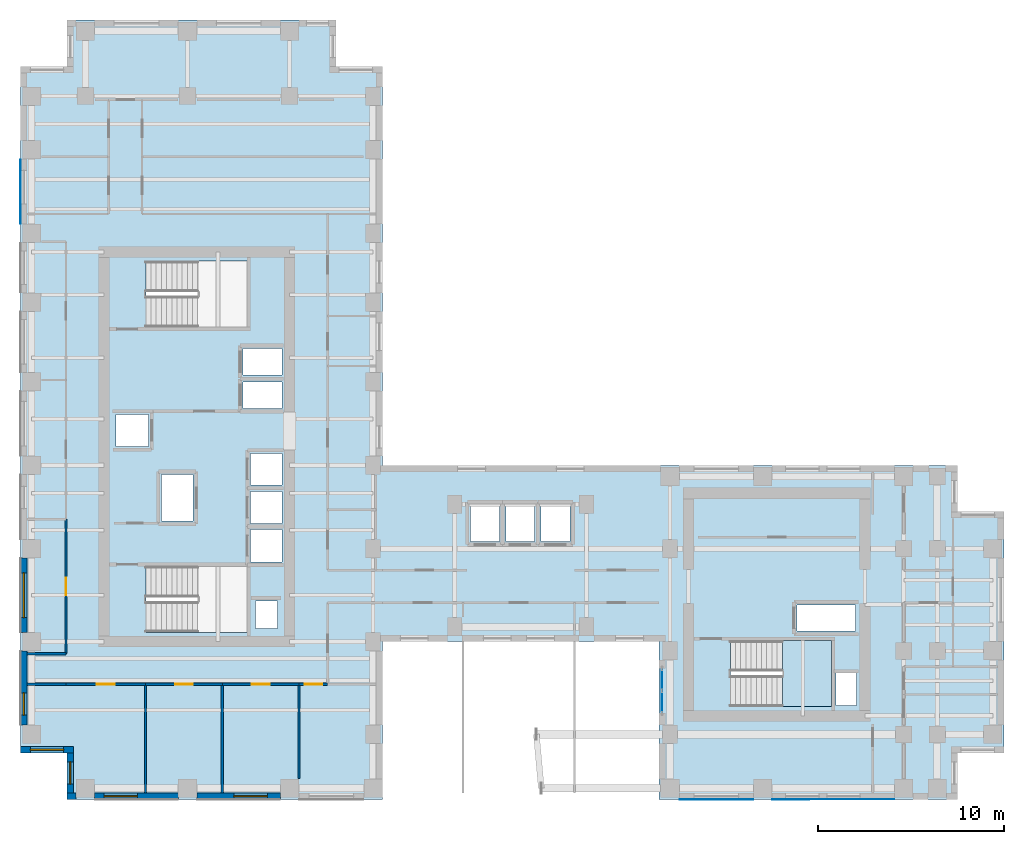
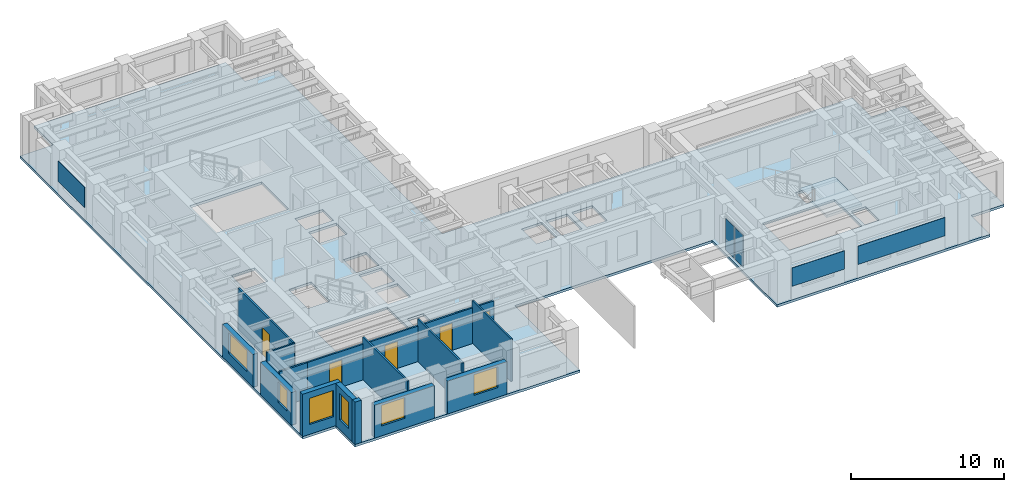
# One storey, part 5 of 13: 17 walls, 6 windows, 5 doors, 5 plates, 2 slabs, 11 openings, 2 elements without a shape of their own.
"""IFC4 building model written with IfcOpenShell, lengths in metres."""

from ifc_helpers import new_model, si_unit, direction, frame, frame_2d, origin, origin_2d, place, context, subcontext, project, spatial, polyline, rectangle, outline, extrude, source, transform, mapped, material, layer, layer_set, type_object, element, fill, aggregate, save


model = new_model("IFC4")

# Units and contexts
model_context = context("Model", 3, precision=1e-05, world=origin(), true_north=direction((0.0, 1.0)))
body_context = subcontext(model_context, "Body", "Model", "MODEL_VIEW")
ifc_project = project(units=[si_unit("LENGTHUNIT", "METRE"), si_unit("AREAUNIT", "SQUARE_METRE"), si_unit("VOLUMEUNIT", "CUBIC_METRE"), si_unit("PLANEANGLEUNIT", "RADIAN"), si_unit("MASSUNIT", "GRAM", prefix="KILO")], contexts=[model_context])

# Site, building, storey
site_placement = place(None, origin())
site = spatial("IfcSite", under=ifc_project, at=site_placement, CompositionType="ELEMENT")
building_placement = place(site_placement, origin())
building = spatial("IfcBuilding", under=site, at=building_placement, Name="Kharzan Plaza Tower", CompositionType="ELEMENT")
storey_placement = place(building_placement, frame((0.0, 0.0, 189.89990234375)))
storey = spatial("IfcBuildingStorey", under=building, at=storey_placement, Name="L51", CompositionType="ELEMENT", Elevation=189.89990234375)

# Slab
ifc_material_1 = material(Name="Concrete C40/50", Category="concrete")
ifc_layer_1 = layer(ifc_material_1, 0.199951171875)
ifc_layer_set_1 = layer_set([ifc_layer_1], Name="Concrete C40/50")
slab_type_1 = type_object("IfcSlabType", Name="SL-FLOOR-200", PredefinedType="FLOOR", material=ifc_layer_set_1)
slab_1_placement = place(storey_placement, frame((0.0, 0.0, -0.199951171875)))
element("IfcSlab", 1, at=slab_1_placement, inside=storey, type_object=slab_type_1, Name="L51 Composite Structural Floor Slab 200 mm", PredefinedType="FLOOR", context=body_context, shape_type="SweptSolid", body=[
    extrude(outline(polyline([(34.39990234375, 18.0), (19.5, 18.0), (19.5, 39.5), (17.0, 39.5), (17.0, 42.0), (2.5, 42.0), (2.5, 39.5), (0.0, 39.5), (0.0, 2.5), (2.5, 2.5), (2.5, 0.0), (19.5, 0.0), (19.5, 8.5), (34.39990234375, 8.5), (34.39990234375, 0.0), (50.5, 0.0), (50.5, 2.5), (53.0, 2.5), (53.0, 15.5), (50.5, 15.5), (50.5, 18.0), (34.39990234375, 18.0)]), holes=[polyline([(12.199951171875, 9.0), (12.199951171875, 12.550048828125), (6.75, 12.550048828125), (6.75, 9.0), (12.199951171875, 9.0)]), polyline([(14.10009765625, 12.800048828125), (14.10009765625, 14.530029296875), (12.39990234375, 14.530029296875), (12.39990234375, 12.800048828125), (14.10009765625, 12.800048828125)]), polyline([(14.10009765625, 14.8701171875), (14.10009765625, 16.60009765625), (12.39990234375, 16.60009765625), (12.39990234375, 14.8701171875), (14.10009765625, 14.8701171875)]), polyline([(9.300048828125, 15.0), (9.300048828125, 17.5), (7.60009765625, 17.5), (7.60009765625, 15.0), (9.300048828125, 15.0)]), polyline([(6.89990234375, 19.010009765625), (6.89990234375, 20.72998046875), (5.14990234375, 20.72998046875), (5.14990234375, 19.010009765625), (6.89990234375, 19.010009765625)]), polyline([(14.10009765625, 21.070068359375), (14.10009765625, 22.489990234375), (12.0, 22.489990234375), (12.0, 21.070068359375), (14.10009765625, 21.070068359375)]), polyline([(14.10009765625, 22.8701171875), (14.10009765625, 24.2900390625), (12.0, 24.2900390625), (12.0, 22.8701171875), (14.10009765625, 22.8701171875)]), polyline([(12.199951171875, 25.449951171875), (12.199951171875, 29.0), (6.75, 29.0), (6.75, 25.449951171875), (12.199951171875, 25.449951171875)]), polyline([(45.050048828125, 5.050048828125), (45.050048828125, 6.800048828125), (43.949951171875, 6.800048828125), (43.949951171875, 5.050048828125), (45.050048828125, 5.050048828125)]), polyline([(43.699951171875, 5.0), (43.699951171875, 8.550048828125), (38.25, 8.550048828125), (38.25, 5.0), (43.699951171875, 5.0)]), polyline([(45.0, 9.070068359375), (45.0, 10.469970703125), (41.85009765625, 10.469970703125), (41.85009765625, 9.070068359375), (45.0, 9.070068359375)]), polyline([(13.85009765625, 9.199951171875), (13.85009765625, 10.699951171875), (12.64990234375, 10.699951171875), (12.64990234375, 9.199951171875), (13.85009765625, 9.199951171875)]), polyline([(25.800048828125, 13.89990234375), (25.800048828125, 15.85009765625), (24.25, 15.85009765625), (24.25, 13.89990234375), (25.800048828125, 13.89990234375)]), polyline([(27.699951171875, 13.89990234375), (27.699951171875, 15.85009765625), (26.14990234375, 15.85009765625), (26.14990234375, 13.89990234375), (27.699951171875, 13.89990234375)]), polyline([(29.60009765625, 13.89990234375), (29.60009765625, 15.85009765625), (28.050048828125, 15.85009765625), (28.050048828125, 13.89990234375), (29.60009765625, 13.89990234375)]), polyline([(14.10009765625, 16.93994140625), (14.10009765625, 18.64990234375), (12.39990234375, 18.64990234375), (12.39990234375, 16.93994140625), (14.10009765625, 16.93994140625)])]), origin(), (0.0, 0.0, 1.0), 0.199951171875),
])

# Stair, slab
stair_type = type_object("IfcStairType", Name="STR-ST-3", PredefinedType="HALF_TURN_STAIR", material=ifc_material_1)
stair_placement = place(storey_placement, origin())
stair = element("IfcStair", 2, at=stair_placement, inside=storey, type_object=stair_type, Name="L51 Protected Exit Stair ST-3", PredefinedType="HALF_TURN_STAIR")
ifc_layer_2 = layer(ifc_material_1, 0.219970703125)
ifc_layer_set_2 = layer_set([ifc_layer_2], Name="Concrete C40/50")
slab_type_2 = type_object("IfcSlabType", Name="SL-LANDING-220", PredefinedType="LANDING", material=ifc_layer_set_2)
slab_2_placement = place(storey_placement, frame((0.0, 0.0, 1.60009765625)))
slab_2 = element("IfcSlab", 3, at=slab_2_placement, type_object=slab_type_2, Name="ST-3 landing 1", PredefinedType="LANDING", context=body_context, shape_type="SweptSolid", body=[
    extrude(outline(polyline([(41.050048828125, 5.0), (43.699951171875, 5.0), (43.699951171875, 8.550048828125), (41.050048828125, 8.550048828125), (41.050048828125, 5.0)])), origin(), (0.0, 0.0, 1.0), 0.199951171875),
])
aggregate(stair, [slab_2])

# Curtain wall, plates
ifc_material_2 = material(Name="Unitised Bronze-Anodized Aluminium and Low-E Glass", Category="aluminium")
ifc_layer_3 = layer(ifc_material_2, 0.199951171875)
ifc_layer_set_3 = layer_set([ifc_layer_3], Name="Unitised Bronze-Anodized Aluminium and Low-E Glass")
curtain_wall_type = type_object("IfcCurtainWallType", Name="CW-SLOT-3", PredefinedType="NOTDEFINED", material=ifc_layer_set_3)
curtain_wall_placement = place(storey_placement, origin())
curtain_wall = element("IfcCurtainWall", 4, at=curtain_wall_placement, inside=storey, type_object=curtain_wall_type, Name="L51 East Slot Recessed Spine Curtain Wall", PredefinedType="NOTDEFINED")
ifc_material_3 = material(Name="Dark Solar-Control Double Glazing", Category="glass")
ifc_layer_4 = layer(ifc_material_3, 0.031982421875)
ifc_layer_set_4 = layer_set([ifc_layer_4], Name="Dark Solar-Control Double Glazing")
plate_type_1 = type_object("IfcPlateType", Name="PLT-CW-GLASS", PredefinedType="CURTAIN_PANEL", material=ifc_layer_set_4)
shared_shape_1 = source(origin(), body_context, "Body", "SweptSolid", [
    extrude(rectangle(XDim=1.080078125, YDim=0.031982421875, at=origin_2d()), origin(), (0.0, 0.0, 1.0), 2.5400390625),
])
plate_1_placement = place(storey_placement, frame((34.580078125, 5.25, 0.080078125), z_axis=(0.0, 0.0, 1.0), x_axis=(0.0, 1.0, 0.0)))
plate_1 = element("IfcPlate", 5, at=plate_1_placement, type_object=plate_type_1, Name="L51 Curtain-Wall Glazed Panel 00", PredefinedType="CURTAIN_PANEL", context=body_context, shape_type="MappedRepresentation", body=[
    mapped(shared_shape_1, transform((0.0, 0.0, 0.0), x_axis=(1.0, 0.0, 0.0), y_axis=(0.0, 1.0, 0.0), z_axis=(0.0, 0.0, 1.0))),
])
plate_2_placement = place(storey_placement, frame((34.580078125, 6.449951171875, 0.080078125), z_axis=(0.0, 0.0, 1.0), x_axis=(0.0, 1.0, 0.0)))
plate_2 = element("IfcPlate", 6, at=plate_2_placement, type_object=plate_type_1, Name="L51 Curtain-Wall Glazed Panel 01", PredefinedType="CURTAIN_PANEL", context=body_context, shape_type="MappedRepresentation", body=[
    mapped(shared_shape_1, transform((0.0, 0.0, 0.0), x_axis=(1.0, 0.0, 0.0), y_axis=(0.0, 1.0, 0.0), z_axis=(0.0, 0.0, 1.0))),
])
aggregate(curtain_wall, [plate_1, plate_2])

# Plates
ifc_material_4 = material(Name="Perforated Bronze-Anodized Aluminium", Category="aluminium")
ifc_layer_5 = layer(ifc_material_4, 0.030029296875)
ifc_layer_set_5 = layer_set([ifc_layer_5], Name="Perforated Bronze-Anodized Aluminium")
plate_type_2 = type_object("IfcPlateType", Name="PLT-MASH-SCREEN", PredefinedType="SHEET", material=ifc_layer_set_5)
shared_shape_2 = source(origin(), body_context, "Body", "SweptSolid", [
    extrude(rectangle(XDim=3.464111328125, YDim=0.030029296875, at=origin_2d()), origin(), (0.0, 0.0, 1.0), 1.632080078125),
])
plate_3_placement = place(storey_placement, frame((-0.012939453125, 32.75, 1.01416015625), z_axis=(0.0, 0.0, 1.0), x_axis=(0.0, -1.0, 0.0)))
element("IfcPlate", 7, at=plate_3_placement, inside=storey, type_object=plate_type_2, Name="L51 Perforated Mashrabiya Solar Screen", PredefinedType="SHEET", context=body_context, shape_type="MappedRepresentation", body=[
    mapped(shared_shape_2, transform((0.0, 0.0, 0.0), x_axis=(1.0, 0.0, 0.0), y_axis=(0.0, 1.0, 0.0), z_axis=(0.0, 0.0, 1.0))),
])
shared_shape_3 = source(origin(), body_context, "Body", "SweptSolid", [
    extrude(rectangle(XDim=3.964111328125, YDim=0.030029296875, at=origin_2d()), origin(), (0.0, 0.0, 1.0), 1.468017578125),
])
plate_4_placement = place(storey_placement, frame((37.5, -0.012939453125, 1.09619140625), z_axis=(0.0, 0.0, 1.0), x_axis=(1.0, 0.0, 0.0)))
element("IfcPlate", 8, at=plate_4_placement, inside=storey, type_object=plate_type_2, Name="L51 Perforated Mashrabiya Solar Screen", PredefinedType="SHEET", context=body_context, shape_type="MappedRepresentation", body=[
    mapped(shared_shape_3, transform((0.0, 0.0, 0.0), x_axis=(1.0, 0.0, 0.0), y_axis=(0.0, 1.0, 0.0), z_axis=(0.0, 0.0, 1.0))),
])
shared_shape_4 = source(origin(), body_context, "Body", "SweptSolid", [
    extrude(rectangle(XDim=6.56396484375, YDim=0.030029296875, at=origin_2d()), origin(), (0.0, 0.0, 1.0), 1.468017578125),
])
plate_5_placement = place(storey_placement, frame((43.800048828125, -0.012939453125, 1.09619140625), z_axis=(0.0, 0.0, 1.0), x_axis=(1.0, 0.0, 0.0)))
element("IfcPlate", 9, at=plate_5_placement, inside=storey, type_object=plate_type_2, Name="L51 Perforated Mashrabiya Solar Screen", PredefinedType="SHEET", context=body_context, shape_type="MappedRepresentation", body=[
    mapped(shared_shape_4, transform((0.0, 0.0, 0.0), x_axis=(1.0, 0.0, 0.0), y_axis=(0.0, 1.0, 0.0), z_axis=(0.0, 0.0, 1.0))),
])

# Wall, opening, window
ifc_layer_6 = layer(ifc_material_1, 0.35009765625)
ifc_layer_set_6 = layer_set([ifc_layer_6], Name="Concrete C40/50")
wall_type_1 = type_object("IfcWallType", Name="WL-EXT-MAS-Z3", PredefinedType="SOLIDWALL", material=ifc_layer_set_6)
wall_1_placement = place(storey_placement, frame((0.175048828125, 13.001953125, 0.0), z_axis=(0.0, 0.0, 1.0), x_axis=(0.0, -1.0, 0.0)))
wall_1 = element("IfcWall", 10, at=wall_1_placement, inside=storey, type_object=wall_type_1, Name="L51 Masonry-Frame Exterior Wall 16", PredefinedType="SOLIDWALL", context=body_context, shape_type="SweptSolid", body=[
    extrude(rectangle(XDim=4.00390625, YDim=0.35009765625, at=frame_2d((2.001953125, 0.0))), origin(), (0.0, 0.0, 1.0), 2.612060546875),
])
opening_1_placement = place(wall_1_placement, frame((0.802001953125, 0.0, 0.780029296875)))
opening_1 = element("IfcOpeningElement", 11, at=opening_1_placement, cuts=wall_1, Name="Opening W2", PredefinedType="OPENING", context=body_context, shape_type="SweptSolid", body=[
    extrude(rectangle(XDim=2.39990234375, YDim=1.652099609375, at=frame_2d((1.199951171875, 0.826171875))), frame((0.0, 0.18505859375, 0.0), z_axis=(0.0, -1.0, 0.0), x_axis=(1.0, 0.0, 0.0)), (0.0, 0.0, 1.0), 0.3701171875),
])
ifc_material_5 = material(Name="Low-E Double Glazing", Category="glass")
window_type_1 = type_object("IfcWindowType", Name="WN-REC-2400x2100", PartitioningType="SINGLE_PANEL", PredefinedType="WINDOW", material=ifc_material_5)
shared_shape_5 = source(origin(), body_context, "Body", "SweptSolid", [
    extrude(rectangle(XDim=2.39990234375, YDim=1.652099609375, at=frame_2d((1.199951171875, 0.826171875))), frame((0.0, 0.030029296875, 0.0), z_axis=(0.0, -1.0, 0.0), x_axis=(1.0, 0.0, 0.0)), (0.0, 0.0, 1.0), 0.06005859375),
])
window_1_placement = place(opening_1_placement, origin())
window_1 = element("IfcWindow", 12, at=window_1_placement, inside=storey, type_object=window_type_1, Name="L51 Wide Recessed Solar-Control Window 16-1", OverallHeight=1.652099609375, OverallWidth=2.39990234375, PartitioningType="SINGLE_PANEL", PredefinedType="WINDOW", context=body_context, shape_type="MappedRepresentation", body=[
    mapped(shared_shape_5, transform((0.0, 0.0, 0.0), x_axis=(1.0, 0.0, 0.0), y_axis=(0.0, 1.0, 0.0), z_axis=(0.0, 0.0, 1.0))),
])
fill(opening_1, window_1)

wall_2_placement = place(storey_placement, frame((0.175048828125, 8.001953125, 0.0), z_axis=(0.0, 0.0, 1.0), x_axis=(0.0, -1.0, 0.0)))
wall_2 = element("IfcWall", 13, at=wall_2_placement, inside=storey, type_object=wall_type_1, Name="L51 Masonry-Frame Exterior Wall 17", PredefinedType="SOLIDWALL", context=body_context, shape_type="SweptSolid", body=[
    extrude(rectangle(XDim=4.00390625, YDim=0.35009765625, at=frame_2d((2.001953125, 0.0))), origin(), (0.0, 0.0, 1.0), 2.612060546875),
])
opening_2_placement = place(wall_2_placement, frame((2.26806640625, 0.0, 0.780029296875)))
opening_2 = element("IfcOpeningElement", 14, at=opening_2_placement, cuts=wall_2, Name="Opening W3", PredefinedType="OPENING", context=body_context, shape_type="SweptSolid", body=[
    extrude(rectangle(XDim=1.199951171875, YDim=1.652099609375, at=frame_2d((0.60009765625, 0.826171875))), frame((0.0, 0.18505859375, 0.0), z_axis=(0.0, -1.0, 0.0), x_axis=(1.0, 0.0, 0.0)), (0.0, 0.0, 1.0), 0.3701171875),
])
window_type_2 = type_object("IfcWindowType", Name="WN-REC-1200x2100", PartitioningType="SINGLE_PANEL", PredefinedType="WINDOW", material=ifc_material_5)
shared_shape_6 = source(origin(), body_context, "Body", "SweptSolid", [
    extrude(rectangle(XDim=1.199951171875, YDim=1.652099609375, at=frame_2d((0.60009765625, 0.826171875))), frame((0.0, 0.030029296875, 0.0), z_axis=(0.0, -1.0, 0.0), x_axis=(1.0, 0.0, 0.0)), (0.0, 0.0, 1.0), 0.06005859375),
])
window_2_placement = place(opening_2_placement, origin())
window_2 = element("IfcWindow", 15, at=window_2_placement, inside=storey, type_object=window_type_2, Name="L51 Recessed Solar-Control Window 17-1", OverallHeight=1.652099609375, OverallWidth=1.199951171875, PartitioningType="SINGLE_PANEL", PredefinedType="WINDOW", context=body_context, shape_type="MappedRepresentation", body=[
    mapped(shared_shape_6, transform((0.0, 0.0, 0.0), x_axis=(1.0, 0.0, 0.0), y_axis=(0.0, 1.0, 0.0), z_axis=(0.0, 0.0, 1.0))),
])
fill(opening_2, window_2)

wall_3_placement = place(storey_placement, frame((0.0, 2.675048828125, 0.0), z_axis=(0.0, 0.0, 1.0), x_axis=(1.0, 0.0, 0.0)))
wall_3 = element("IfcWall", 16, at=wall_3_placement, inside=storey, type_object=wall_type_1, Name="L51 Masonry-Frame Exterior Wall 18", PredefinedType="SOLIDWALL", context=body_context, shape_type="SweptSolid", body=[
    extrude(rectangle(XDim=2.85009765625, YDim=0.35009765625, at=frame_2d((1.425048828125, 0.0))), origin(), (0.0, 0.0, 1.0), 3.385009765625),
])
opening_3_placement = place(wall_3_placement, frame((0.52490234375, 0.0, 0.780029296875)))
opening_3 = element("IfcOpeningElement", 17, at=opening_3_placement, cuts=wall_3, Name="Opening W1", PredefinedType="OPENING", context=body_context, shape_type="SweptSolid", body=[
    extrude(rectangle(XDim=1.800048828125, YDim=2.10009765625, at=frame_2d((0.89990234375, 1.050048828125))), frame((0.0, 0.18505859375, 0.0), z_axis=(0.0, -1.0, 0.0), x_axis=(1.0, 0.0, 0.0)), (0.0, 0.0, 1.0), 0.3701171875),
])
window_type_3 = type_object("IfcWindowType", Name="WN-REC-1800x2100", PartitioningType="SINGLE_PANEL", PredefinedType="WINDOW", material=ifc_material_5)
shared_shape_7 = source(origin(), body_context, "Body", "SweptSolid", [
    extrude(rectangle(XDim=1.800048828125, YDim=2.10009765625, at=frame_2d((0.89990234375, 1.050048828125))), frame((0.0, 0.030029296875, 0.0), z_axis=(0.0, -1.0, 0.0), x_axis=(1.0, 0.0, 0.0)), (0.0, 0.0, 1.0), 0.06005859375),
])
window_3_placement = place(opening_3_placement, origin())
window_3 = element("IfcWindow", 18, at=window_3_placement, inside=storey, type_object=window_type_3, Name="L51 Recessed Solar-Control Window 18-1", OverallHeight=2.10009765625, OverallWidth=1.800048828125, PartitioningType="SINGLE_PANEL", PredefinedType="WINDOW", context=body_context, shape_type="MappedRepresentation", body=[
    mapped(shared_shape_7, transform((0.0, 0.0, 0.0), x_axis=(1.0, 0.0, 0.0), y_axis=(0.0, 1.0, 0.0), z_axis=(0.0, 0.0, 1.0))),
])
fill(opening_3, window_3)

wall_4_placement = place(storey_placement, frame((2.675048828125, 2.501953125, 0.0), z_axis=(0.0, 0.0, 1.0), x_axis=(0.0, -1.0, 0.0)))
wall_4 = element("IfcWall", 19, at=wall_4_placement, inside=storey, type_object=wall_type_1, Name="L51 Masonry-Frame Exterior Wall 19", PredefinedType="SOLIDWALL", context=body_context, shape_type="SweptSolid", body=[
    extrude(rectangle(XDim=2.154052734375, YDim=0.35009765625, at=frame_2d((1.0771484375, 0.0))), origin(), (0.0, 0.0, 1.0), 3.385009765625),
])
opening_4_placement = place(wall_4_placement, frame((0.47705078125, 0.0, 0.780029296875)))
opening_4 = element("IfcOpeningElement", 20, at=opening_4_placement, cuts=wall_4, Name="Opening W3", PredefinedType="OPENING", context=body_context, shape_type="SweptSolid", body=[
    extrude(rectangle(XDim=1.199951171875, YDim=2.10009765625, at=frame_2d((0.60009765625, 1.050048828125))), frame((0.0, 0.18505859375, 0.0), z_axis=(0.0, -1.0, 0.0), x_axis=(1.0, 0.0, 0.0)), (0.0, 0.0, 1.0), 0.3701171875),
])
shared_shape_8 = source(origin(), body_context, "Body", "SweptSolid", [
    extrude(rectangle(XDim=1.199951171875, YDim=2.10009765625, at=frame_2d((0.60009765625, 1.050048828125))), frame((0.0, 0.030029296875, 0.0), z_axis=(0.0, -1.0, 0.0), x_axis=(1.0, 0.0, 0.0)), (0.0, 0.0, 1.0), 0.06005859375),
])
window_4_placement = place(opening_4_placement, origin())
window_4 = element("IfcWindow", 21, at=window_4_placement, inside=storey, type_object=window_type_2, Name="L51 Recessed Solar-Control Window 19-1", OverallHeight=2.10009765625, OverallWidth=1.199951171875, PartitioningType="SINGLE_PANEL", PredefinedType="WINDOW", context=body_context, shape_type="MappedRepresentation", body=[
    mapped(shared_shape_8, transform((0.0, 0.0, 0.0), x_axis=(1.0, 0.0, 0.0), y_axis=(0.0, 1.0, 0.0), z_axis=(0.0, 0.0, 1.0))),
])
fill(opening_4, window_4)

wall_5_placement = place(storey_placement, frame((3.998046875, 0.175048828125, 0.0), z_axis=(0.0, 0.0, 1.0), x_axis=(1.0, 0.0, 0.0)))
wall_5 = element("IfcWall", 22, at=wall_5_placement, inside=storey, type_object=wall_type_1, Name="L51 Masonry-Frame Exterior Wall 21", PredefinedType="SOLIDWALL", context=body_context, shape_type="SweptSolid", body=[
    extrude(rectangle(XDim=4.50390625, YDim=0.35009765625, at=frame_2d((2.251953125, 0.0))), origin(), (0.0, 0.0, 1.0), 2.612060546875),
])
opening_5_placement = place(wall_5_placement, frame((0.50439453125, 0.0, 0.780029296875)))
opening_5 = element("IfcOpeningElement", 23, at=opening_5_placement, cuts=wall_5, Name="Opening W1", PredefinedType="OPENING", context=body_context, shape_type="SweptSolid", body=[
    extrude(rectangle(XDim=1.800048828125, YDim=1.652099609375, at=frame_2d((0.89990234375, 0.826171875))), frame((0.0, 0.18505859375, 0.0), z_axis=(0.0, -1.0, 0.0), x_axis=(1.0, 0.0, 0.0)), (0.0, 0.0, 1.0), 0.3701171875),
])
shared_shape_9 = source(origin(), body_context, "Body", "SweptSolid", [
    extrude(rectangle(XDim=1.800048828125, YDim=1.652099609375, at=frame_2d((0.89990234375, 0.826171875))), frame((0.0, 0.030029296875, 0.0), z_axis=(0.0, -1.0, 0.0), x_axis=(1.0, 0.0, 0.0)), (0.0, 0.0, 1.0), 0.06005859375),
])
window_5_placement = place(opening_5_placement, origin())
window_5 = element("IfcWindow", 24, at=window_5_placement, inside=storey, type_object=window_type_3, Name="L51 Recessed Solar-Control Window 21-1", OverallHeight=1.652099609375, OverallWidth=1.800048828125, PartitioningType="SINGLE_PANEL", PredefinedType="WINDOW", context=body_context, shape_type="MappedRepresentation", body=[
    mapped(shared_shape_9, transform((0.0, 0.0, 0.0), x_axis=(1.0, 0.0, 0.0), y_axis=(0.0, 1.0, 0.0), z_axis=(0.0, 0.0, 1.0))),
])
fill(opening_5, window_5)

wall_6_placement = place(storey_placement, frame((9.498046875, 0.175048828125, 0.0), z_axis=(0.0, 0.0, 1.0), x_axis=(1.0, 0.0, 0.0)))
wall_6 = element("IfcWall", 25, at=wall_6_placement, inside=storey, type_object=wall_type_1, Name="L51 Masonry-Frame Exterior Wall 22", PredefinedType="SOLIDWALL", context=body_context, shape_type="SweptSolid", body=[
    extrude(rectangle(XDim=4.50390625, YDim=0.35009765625, at=frame_2d((2.251953125, 0.0))), origin(), (0.0, 0.0, 1.0), 2.612060546875),
])
opening_6_placement = place(wall_6_placement, frame((2.005615234375, 0.0, 0.780029296875)))
opening_6 = element("IfcOpeningElement", 26, at=opening_6_placement, cuts=wall_6, Name="Opening W1", PredefinedType="OPENING", context=body_context, shape_type="SweptSolid", body=[
    extrude(rectangle(XDim=1.800048828125, YDim=1.652099609375, at=frame_2d((0.89990234375, 0.826171875))), frame((0.0, 0.18505859375, 0.0), z_axis=(0.0, -1.0, 0.0), x_axis=(1.0, 0.0, 0.0)), (0.0, 0.0, 1.0), 0.3701171875),
])
window_6_placement = place(opening_6_placement, origin())
window_6 = element("IfcWindow", 27, at=window_6_placement, inside=storey, type_object=window_type_3, Name="L51 Recessed Solar-Control Window 22-1", OverallHeight=1.652099609375, OverallWidth=1.800048828125, PartitioningType="SINGLE_PANEL", PredefinedType="WINDOW", context=body_context, shape_type="MappedRepresentation", body=[
    mapped(shared_shape_9, transform((0.0, 0.0, 0.0), x_axis=(1.0, 0.0, 0.0), y_axis=(0.0, 1.0, 0.0), z_axis=(0.0, 0.0, 1.0))),
])
fill(opening_6, window_6)

# Wall, opening, door
ifc_material_6 = material(Name="Fire-Rated Gypsum Board Partition", Category="gypsum")
ifc_layer_7 = layer(ifc_material_6, 0.125)
ifc_layer_set_7 = layer_set([ifc_layer_7], Name="Fire-Rated Gypsum Board Partition")
wall_type_2 = type_object("IfcWallType", Name="WL-INT-PART-125", PredefinedType="PARTITIONING", material=ifc_layer_set_7)
wall_7_placement = place(storey_placement, frame((2.449951171875, 6.199951171875, 0.0), z_axis=(0.0, 0.0, 1.0), x_axis=(1.0, 0.0, 0.0)))
wall_7 = element("IfcWall", 28, at=wall_7_placement, inside=storey, type_object=wall_type_2, Name="L51 Interior Partition SH-SS-1", PredefinedType="PARTITIONING", context=body_context, shape_type="SweptSolid", body=[
    extrude(rectangle(XDim=4.287109375, YDim=0.125, at=frame_2d((2.1435546875, 0.0))), origin(), (0.0, 0.0, 1.0), 2.84814453125),
])
opening_7_placement = place(wall_7_placement, frame((1.66845703125, 0.0, 0.0)))
opening_7 = element("IfcOpeningElement", 29, at=opening_7_placement, cuts=wall_7, Name="Opening OD1", PredefinedType="OPENING", context=body_context, shape_type="SweptSolid", body=[
    extrude(rectangle(XDim=0.949951171875, YDim=2.14990234375, at=frame_2d((0.47509765625, 1.074951171875))), frame((0.0, 0.072509765625, 0.0), z_axis=(0.0, -1.0, 0.0), x_axis=(1.0, 0.0, 0.0)), (0.0, 0.0, 1.0), 0.14501953125),
])
ifc_material_7 = material(Name="Acoustic Solid-Core Stained Oak", Category="timber")
door_type = type_object("IfcDoorType", Name="DR-OFF-SINGLE", OperationType="NOTDEFINED", PredefinedType="DOOR", material=ifc_material_7)
shared_shape_10 = source(origin(), body_context, "Body", "SweptSolid", [
    extrude(rectangle(XDim=0.949951171875, YDim=2.14990234375, at=frame_2d((0.47509765625, 1.074951171875))), frame((0.0, 0.02490234375, 0.0), z_axis=(0.0, -1.0, 0.0), x_axis=(1.0, 0.0, 0.0)), (0.0, 0.0, 1.0), 0.050048828125),
])
door_1_placement = place(opening_7_placement, origin())
door_1 = element("IfcDoor", 30, at=door_1_placement, inside=storey, type_object=door_type, Name="L51 Staff Tea Pantry Door", OperationType="SINGLE_SWING_LEFT", OverallHeight=2.14990234375, OverallWidth=0.949951171875, PredefinedType="DOOR", context=body_context, shape_type="MappedRepresentation", body=[
    mapped(shared_shape_10, transform((0.0, 0.0, 0.0), x_axis=(1.0, 0.0, 0.0), y_axis=(0.0, 1.0, 0.0), z_axis=(0.0, 0.0, 1.0))),
])
fill(opening_7, door_1)

wall_8_placement = place(storey_placement, frame((6.737060546875, 6.199951171875, 0.0), z_axis=(0.0, 0.0, 1.0), x_axis=(1.0, 0.0, 0.0)))
wall_8 = element("IfcWall", 31, at=wall_8_placement, inside=storey, type_object=wall_type_2, Name="L51 Interior Partition SH-SS-2", PredefinedType="PARTITIONING", context=body_context, shape_type="SweptSolid", body=[
    extrude(rectangle(XDim=4.137939453125, YDim=0.125, at=frame_2d((2.06884765625, 0.0))), origin(), (0.0, 0.0, 1.0), 2.84814453125),
])
opening_8_placement = place(wall_8_placement, frame((1.593994140625, 0.0, 0.0)))
opening_8 = element("IfcOpeningElement", 32, at=opening_8_placement, cuts=wall_8, Name="Opening OD1", PredefinedType="OPENING", context=body_context, shape_type="SweptSolid", body=[
    extrude(rectangle(XDim=0.949951171875, YDim=2.14990234375, at=frame_2d((0.47509765625, 1.074951171875))), frame((0.0, 0.072509765625, 0.0), z_axis=(0.0, -1.0, 0.0), x_axis=(1.0, 0.0, 0.0)), (0.0, 0.0, 1.0), 0.14501953125),
])
door_2_placement = place(opening_8_placement, origin())
door_2 = element("IfcDoor", 33, at=door_2_placement, inside=storey, type_object=door_type, Name="L51 Design Collaboration Office Door", OperationType="SINGLE_SWING_RIGHT", OverallHeight=2.14990234375, OverallWidth=0.949951171875, PredefinedType="DOOR", context=body_context, shape_type="MappedRepresentation", body=[
    mapped(shared_shape_10, transform((0.0, 0.0, 0.0), x_axis=(1.0, 0.0, 0.0), y_axis=(0.0, 1.0, 0.0), z_axis=(0.0, 0.0, 1.0))),
])
fill(opening_8, door_2)

wall_9_placement = place(storey_placement, frame((10.875, 6.199951171875, 0.0), z_axis=(0.0, 0.0, 1.0), x_axis=(1.0, 0.0, 0.0)))
wall_9 = element("IfcWall", 34, at=wall_9_placement, inside=storey, type_object=wall_type_2, Name="L51 Interior Partition SH-SS-3", PredefinedType="PARTITIONING", context=body_context, shape_type="SweptSolid", body=[
    extrude(rectangle(XDim=4.136962890625, YDim=0.125, at=frame_2d((2.068359375, 0.0))), origin(), (0.0, 0.0, 1.0), 2.84814453125),
])
opening_9_placement = place(wall_9_placement, frame((1.593505859375, 0.0, 0.0)))
opening_9 = element("IfcOpeningElement", 35, at=opening_9_placement, cuts=wall_9, Name="Opening OD1", PredefinedType="OPENING", context=body_context, shape_type="SweptSolid", body=[
    extrude(rectangle(XDim=0.949951171875, YDim=2.14990234375, at=frame_2d((0.47509765625, 1.074951171875))), frame((0.0, 0.072509765625, 0.0), z_axis=(0.0, -1.0, 0.0), x_axis=(1.0, 0.0, 0.0)), (0.0, 0.0, 1.0), 0.14501953125),
])
door_3_placement = place(opening_9_placement, origin())
door_3 = element("IfcDoor", 36, at=door_3_placement, inside=storey, type_object=door_type, Name="L51 Systems Planning Office Door", OperationType="SINGLE_SWING_LEFT", OverallHeight=2.14990234375, OverallWidth=0.949951171875, PredefinedType="DOOR", context=body_context, shape_type="MappedRepresentation", body=[
    mapped(shared_shape_10, transform((0.0, 0.0, 0.0), x_axis=(1.0, 0.0, 0.0), y_axis=(0.0, 1.0, 0.0), z_axis=(0.0, 0.0, 1.0))),
])
fill(opening_9, door_3)

wall_10_placement = place(storey_placement, frame((15.011962890625, 6.199951171875, 0.0), z_axis=(0.0, 0.0, 1.0), x_axis=(1.0, 0.0, 0.0)))
wall_10 = element("IfcWall", 37, at=wall_10_placement, inside=storey, type_object=wall_type_2, Name="L51 Interior Partition SH-SS-4", PredefinedType="PARTITIONING", context=body_context, shape_type="SweptSolid", body=[
    extrude(rectangle(XDim=1.5380859375, YDim=0.125, at=frame_2d((0.76904296875, 0.0))), origin(), (0.0, 0.0, 1.0), 2.84814453125),
])
opening_10_placement = place(wall_10_placement, frame((0.2939453125, 0.0, 0.0)))
opening_10 = element("IfcOpeningElement", 38, at=opening_10_placement, cuts=wall_10, Name="Opening OD1", PredefinedType="OPENING", context=body_context, shape_type="SweptSolid", body=[
    extrude(rectangle(XDim=0.949951171875, YDim=2.14990234375, at=frame_2d((0.47509765625, 1.074951171875))), frame((0.0, 0.072509765625, 0.0), z_axis=(0.0, -1.0, 0.0), x_axis=(1.0, 0.0, 0.0)), (0.0, 0.0, 1.0), 0.14501953125),
])
door_4_placement = place(opening_10_placement, origin())
door_4 = element("IfcDoor", 39, at=door_4_placement, inside=storey, type_object=door_type, Name="L51 Open Office Workspace Door", OperationType="SINGLE_SWING_RIGHT", OverallHeight=2.14990234375, OverallWidth=0.949951171875, PredefinedType="DOOR", context=body_context, shape_type="MappedRepresentation", body=[
    mapped(shared_shape_10, transform((0.0, 0.0, 0.0), x_axis=(1.0, 0.0, 0.0), y_axis=(0.0, 1.0, 0.0), z_axis=(0.0, 0.0, 1.0))),
])
fill(opening_10, door_4)

wall_11_placement = place(storey_placement, frame((2.449951171875, 7.85009765625, 0.0), z_axis=(0.0, 0.0, 1.0), x_axis=(0.0, 1.0, 0.0)))
wall_11 = element("IfcWall", 40, at=wall_11_placement, inside=storey, type_object=wall_type_2, Name="L51 Interior Partition SH-WW-1", PredefinedType="PARTITIONING", context=body_context, shape_type="SweptSolid", body=[
    extrude(rectangle(XDim=7.25, YDim=0.125, at=frame_2d((3.625, 0.0))), origin(), (0.0, 0.0, 1.0), 3.385009765625),
])
opening_11_placement = place(wall_11_placement, frame((3.14990234375, 0.0, 0.0)))
opening_11 = element("IfcOpeningElement", 41, at=opening_11_placement, cuts=wall_11, Name="Opening OD1", PredefinedType="OPENING", context=body_context, shape_type="SweptSolid", body=[
    extrude(rectangle(XDim=0.949951171875, YDim=2.14990234375, at=frame_2d((0.47509765625, 1.074951171875))), frame((0.0, 0.072509765625, 0.0), z_axis=(0.0, -1.0, 0.0), x_axis=(1.0, 0.0, 0.0)), (0.0, 0.0, 1.0), 0.14501953125),
])
door_5_placement = place(opening_11_placement, origin())
door_5 = element("IfcDoor", 42, at=door_5_placement, inside=storey, type_object=door_type, Name="L51 Client Briefing Room Door", OperationType="SINGLE_SWING_RIGHT", OverallHeight=2.14990234375, OverallWidth=0.949951171875, PredefinedType="DOOR", context=body_context, shape_type="MappedRepresentation", body=[
    mapped(shared_shape_10, transform((0.0, 0.0, 0.0), x_axis=(1.0, 0.0, 0.0), y_axis=(0.0, 1.0, 0.0), z_axis=(0.0, 0.0, 1.0))),
])
fill(opening_11, door_5)

# Walls
shared_shape_11 = source(origin(), body_context, "Body", "SweptSolid", [
    extrude(rectangle(XDim=0.501953125, YDim=0.35009765625, at=frame_2d((0.2509765625, 0.0))), origin(), (0.0, 0.0, 1.0), 3.385009765625),
])
wall_12_placement = place(storey_placement, frame((2.5, 0.175048828125, 0.0), z_axis=(0.0, 0.0, 1.0), x_axis=(1.0, 0.0, 0.0)))
element("IfcWall", 43, at=wall_12_placement, inside=storey, type_object=wall_type_1, Name="L51 Masonry-Frame Exterior Wall 20", PredefinedType="SOLIDWALL", context=body_context, shape_type="MappedRepresentation", body=[
    mapped(shared_shape_11, transform((0.0, 0.0, 0.0), x_axis=(1.0, 0.0, 0.0), y_axis=(0.0, 1.0, 0.0), z_axis=(0.0, 0.0, 1.0))),
])
shared_shape_12 = source(origin(), body_context, "Body", "SweptSolid", [
    extrude(rectangle(XDim=2.097900390625, YDim=0.125, at=frame_2d((1.048828125, 0.0))), origin(), (0.0, 0.0, 1.0), 3.385009765625),
])
wall_13_placement = place(storey_placement, frame((0.35205078125, 7.85009765625, 0.0), z_axis=(0.0, 0.0, 1.0), x_axis=(1.0, 0.0, 0.0)))
element("IfcWall", 44, at=wall_13_placement, inside=storey, type_object=wall_type_2, Name="L51 Interior Partition SH-RWS0", PredefinedType="PARTITIONING", context=body_context, shape_type="MappedRepresentation", body=[
    mapped(shared_shape_12, transform((0.0, 0.0, 0.0), x_axis=(1.0, 0.0, 0.0), y_axis=(0.0, 1.0, 0.0), z_axis=(0.0, 0.0, 1.0))),
])
shared_shape_13 = source(origin(), body_context, "Body", "SweptSolid", [
    extrude(rectangle(XDim=5.847900390625, YDim=0.125, at=frame_2d((2.923828125, 0.0))), origin(), (0.0, 0.0, 1.0), 3.385009765625),
])
for number, where, z_axis, x_axis, name in (
    (45, (6.737060546875, 0.35205078125, 0.0), (0.0, 0.0, 1.0), (0.0, 1.0, 0.0), "L51 Interior Partition SH-SV-1"),
    (46, (10.875, 0.35205078125, 0.0), (0.0, 0.0, 1.0), (0.0, 1.0, 0.0), "L51 Interior Partition SH-SV-2"),
):
    element("IfcWall", number, at=place(storey_placement, frame(where, z_axis=z_axis, x_axis=x_axis)), inside=storey, type_object=wall_type_2, Name=name, PredefinedType="PARTITIONING", context=body_context, shape_type="MappedRepresentation", body=[
        mapped(shared_shape_13, transform((0.0, 0.0, 0.0), x_axis=(1.0, 0.0, 0.0), y_axis=(0.0, 1.0, 0.0), z_axis=(0.0, 0.0, 1.0))),
    ])
shared_shape_14 = source(origin(), body_context, "Body", "SweptSolid", [
    extrude(rectangle(XDim=5.079833984375, YDim=0.125, at=frame_2d((2.5400390625, 0.0))), origin(), (0.0, 0.0, 1.0), 3.385009765625),
])
wall_14_placement = place(storey_placement, frame((15.011962890625, 1.1201171875, 0.0), z_axis=(0.0, 0.0, 1.0), x_axis=(0.0, 1.0, 0.0)))
element("IfcWall", 47, at=wall_14_placement, inside=storey, type_object=wall_type_2, Name="L51 Interior Partition SH-SV-3", PredefinedType="PARTITIONING", context=body_context, shape_type="MappedRepresentation", body=[
    mapped(shared_shape_14, transform((0.0, 0.0, 0.0), x_axis=(1.0, 0.0, 0.0), y_axis=(0.0, 1.0, 0.0), z_axis=(0.0, 0.0, 1.0))),
])
shared_shape_15 = source(origin(), body_context, "Body", "SweptSolid", [
    extrude(rectangle(XDim=2.097900390625, YDim=0.125, at=frame_2d((1.048828125, 0.0))), origin(), (0.0, 0.0, 1.0), 2.84814453125),
])
wall_15_placement = place(storey_placement, frame((0.35205078125, 6.199951171875, 0.0), z_axis=(0.0, 0.0, 1.0), x_axis=(1.0, 0.0, 0.0)))
element("IfcWall", 48, at=wall_15_placement, inside=storey, type_object=wall_type_2, Name="L51 Interior Partition SH-SS-EXT", PredefinedType="PARTITIONING", context=body_context, shape_type="MappedRepresentation", body=[
    mapped(shared_shape_15, transform((0.0, 0.0, 0.0), x_axis=(1.0, 0.0, 0.0), y_axis=(0.0, 1.0, 0.0), z_axis=(0.0, 0.0, 1.0))),
])

save(model, "model.ifc")
